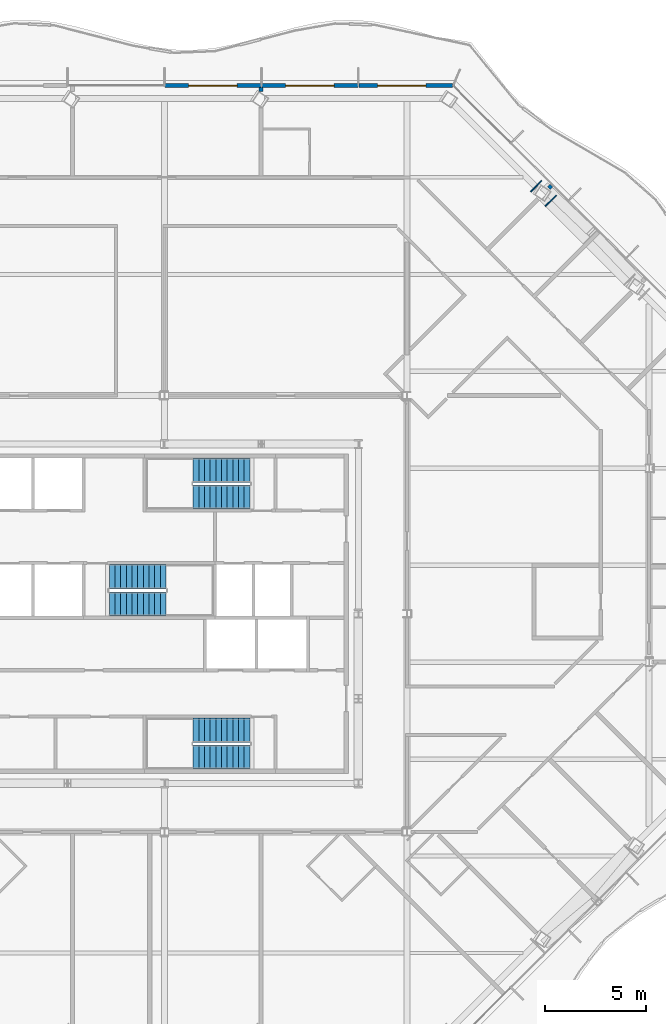
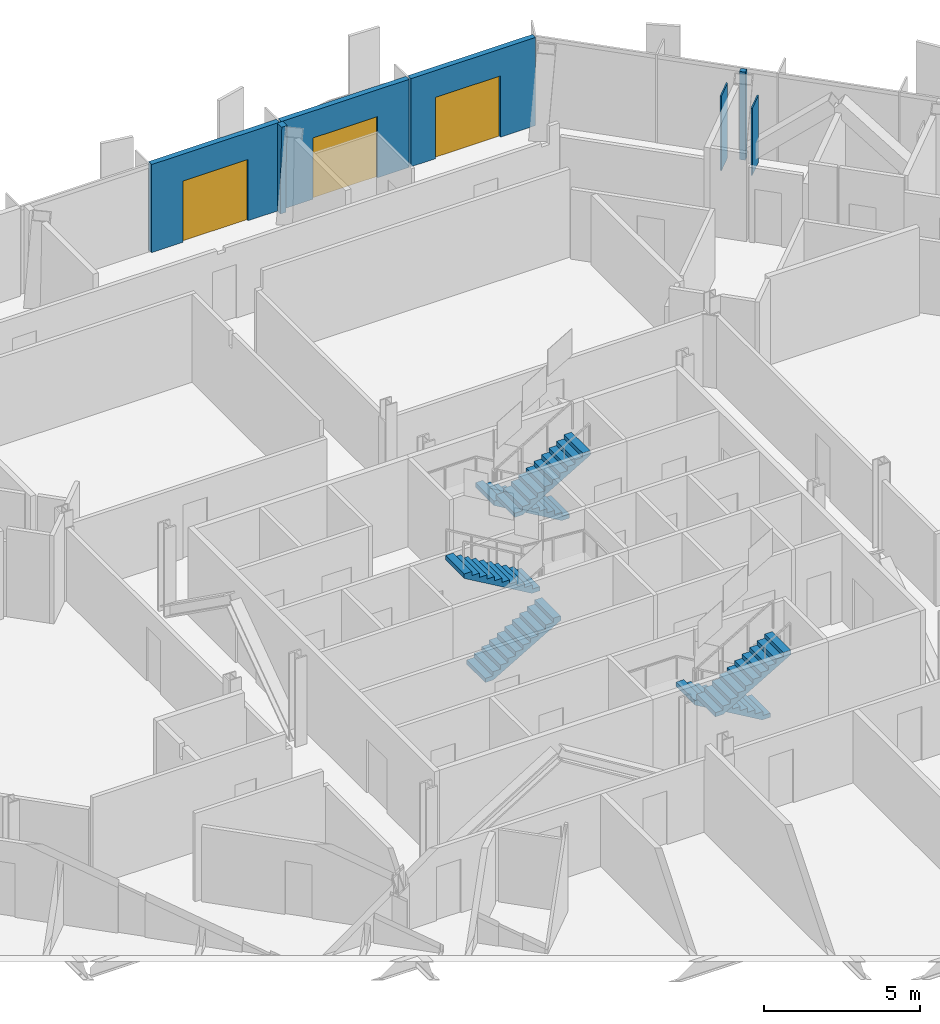
# One storey, part 14 of 21: 7 walls, 6 stair flights, 3 doors, 3 openings, 3 elements without a shape of their own.
"""IFC4 building model written with IfcOpenShell, lengths in metres."""

from ifc_helpers import new_model, si_unit, direction, frame, frame_2d, origin, place, context, subcontext, project, spatial, polyline, rectangle, outline, extrude, material, layer, layer_set, type_object, element, fill, aggregate, save


model = new_model("IFC4")

# Units and contexts
model_context = context("Model", 3, precision=1e-05, world=origin(), true_north=direction((0.0, 1.0)))
body_context = subcontext(model_context, "Body", "Model", "MODEL_VIEW")
ifc_project = project(units=[si_unit("LENGTHUNIT", "METRE"), si_unit("AREAUNIT", "SQUARE_METRE"), si_unit("VOLUMEUNIT", "CUBIC_METRE"), si_unit("PLANEANGLEUNIT", "RADIAN"), si_unit("MASSUNIT", "GRAM", prefix="KILO")], contexts=[model_context])

# Site, building, storey
site_placement = place(None, origin())
site = spatial("IfcSite", under=ifc_project, at=site_placement, CompositionType="ELEMENT")
building_placement = place(site_placement, origin())
building = spatial("IfcBuilding", under=site, at=building_placement, Name="Cairn Pilgrim Tower", CompositionType="ELEMENT")
storey_placement = place(building_placement, frame((0.0, 0.0, 172.199951171875)))
storey = spatial("IfcBuildingStorey", under=building, at=storey_placement, Name="L43", CompositionType="ELEMENT", Elevation=172.199951171875)

# Wall, opening, door
ifc_material_1 = material(Name="Bronze anodised aluminium insulated sandwich panel with mineral wool fill", Category="aluminium")
ifc_layer_1 = layer(ifc_material_1, 0.199951171875)
ifc_layer_set_1 = layer_set([ifc_layer_1], Name="BRONZE INFILL FRAME WALL 200")
wall_type_1 = type_object("IfcWallType", Name="BRONZE INFILL FRAME WALL 200", PredefinedType="NOTDEFINED", material=ifc_layer_set_1)
wall_1_placement = place(storey_placement, frame((21.45654296875, 28.550048828125, 0.0), z_axis=(0.0, 0.0, 1.0), x_axis=(-1.0, 0.0, 0.0)))
wall_1 = element("IfcWall", 1, at=wall_1_placement, inside=storey, type_object=wall_type_1, Name="Bronze infill frame wall IW-N1", PredefinedType="NOTDEFINED", context=body_context, shape_type="SweptSolid", body=[
    extrude(rectangle(XDim=4.62646484375, YDim=0.199951171875, at=frame_2d((2.313232421875, 0.0))), origin(), (0.0, 0.0, 1.0), 3.449951171875),
])
opening_1_placement = place(wall_1_placement, frame((1.308349609375, 0.0, 0.0)))
opening_1 = element("IfcOpeningElement", 2, at=opening_1_placement, cuts=wall_1, Name="Opening 4313B2", PredefinedType="OPENING", context=body_context, shape_type="SweptSolid", body=[
    extrude(rectangle(XDim=2.39990234375, YDim=2.39990234375, at=frame_2d((1.199951171875, 1.199951171875))), frame((0.0, 0.10986328125, 0.0), z_axis=(0.0, -1.0, 0.0), x_axis=(1.0, 0.0, 0.0)), (0.0, 0.0, 1.0), 0.219970703125),
])
ifc_material_2 = material(Name="Bronze anodised aluminium frame with tinted low-E glass", Category="aluminium")
door_type = type_object("IfcDoorType", Name="BALCONY SLIDING DOOR 2400x2400", OperationType="DOUBLE_DOOR_SLIDING", PredefinedType="DOOR", material=ifc_material_2)
door_1_placement = place(opening_1_placement, origin())
door_1 = element("IfcDoor", 3, at=door_1_placement, inside=storey, type_object=door_type, Name="Balcony sliding door 4313B2", OperationType="SINGLE_SWING_LEFT", OverallHeight=2.39990234375, OverallWidth=2.39990234375, PredefinedType="DOOR", context=body_context, shape_type="SweptSolid", body=[
    extrude(rectangle(XDim=2.39990234375, YDim=2.39990234375, at=frame_2d((1.199951171875, 1.199951171875))), frame((0.0, 0.02490234375, 0.0), z_axis=(0.0, -1.0, 0.0), x_axis=(1.0, 0.0, 0.0)), (0.0, 0.0, 1.0), 0.050048828125),
])
fill(opening_1, door_1)

wall_2_placement = place(storey_placement, frame((16.77001953125, 28.550048828125, 0.0), z_axis=(0.0, 0.0, 1.0), x_axis=(-1.0, 0.0, 0.0)))
wall_2 = element("IfcWall", 4, at=wall_2_placement, inside=storey, type_object=wall_type_1, Name="Bronze infill frame wall IW-N2", PredefinedType="NOTDEFINED", context=body_context, shape_type="SweptSolid", body=[
    extrude(rectangle(XDim=4.739990234375, YDim=0.199951171875, at=frame_2d((2.3701171875, 0.0))), origin(), (0.0, 0.0, 1.0), 3.449951171875),
])
opening_2_placement = place(wall_2_placement, frame((1.169921875, 0.0, 0.0)))
opening_2 = element("IfcOpeningElement", 5, at=opening_2_placement, cuts=wall_2, Name="Opening 4313B", PredefinedType="OPENING", context=body_context, shape_type="SweptSolid", body=[
    extrude(rectangle(XDim=2.39990234375, YDim=2.39990234375, at=frame_2d((1.199951171875, 1.199951171875))), frame((0.0, 0.10986328125, 0.0), z_axis=(0.0, -1.0, 0.0), x_axis=(1.0, 0.0, 0.0)), (0.0, 0.0, 1.0), 0.219970703125),
])
door_2_placement = place(opening_2_placement, origin())
door_2 = element("IfcDoor", 6, at=door_2_placement, inside=storey, type_object=door_type, Name="Balcony sliding door 4313B", OperationType="SINGLE_SWING_LEFT", OverallHeight=2.39990234375, OverallWidth=2.39990234375, PredefinedType="DOOR", context=body_context, shape_type="SweptSolid", body=[
    extrude(rectangle(XDim=2.39990234375, YDim=2.39990234375, at=frame_2d((1.199951171875, 1.199951171875))), frame((0.0, 0.02490234375, 0.0), z_axis=(0.0, -1.0, 0.0), x_axis=(1.0, 0.0, 0.0)), (0.0, 0.0, 1.0), 0.050048828125),
])
fill(opening_2, door_2)

wall_3_placement = place(storey_placement, frame((11.969970703125, 28.550048828125, 0.0), z_axis=(0.0, 0.0, 1.0), x_axis=(-1.0, 0.0, 0.0)))
wall_3 = element("IfcWall", 7, at=wall_3_placement, inside=storey, type_object=wall_type_1, Name="Bronze infill frame wall IW-N3", PredefinedType="NOTDEFINED", context=body_context, shape_type="SweptSolid", body=[
    extrude(rectangle(XDim=4.739990234375, YDim=0.199951171875, at=frame_2d((2.3701171875, 0.0))), origin(), (0.0, 0.0, 1.0), 3.449951171875),
])
opening_3_placement = place(wall_3_placement, frame((1.169921875, 0.0, 0.0)))
opening_3 = element("IfcOpeningElement", 8, at=opening_3_placement, cuts=wall_3, Name="Opening 4314B", PredefinedType="OPENING", context=body_context, shape_type="SweptSolid", body=[
    extrude(rectangle(XDim=2.39990234375, YDim=2.39990234375, at=frame_2d((1.199951171875, 1.199951171875))), frame((0.0, 0.10986328125, 0.0), z_axis=(0.0, -1.0, 0.0), x_axis=(1.0, 0.0, 0.0)), (0.0, 0.0, 1.0), 0.219970703125),
])
door_3_placement = place(opening_3_placement, origin())
door_3 = element("IfcDoor", 9, at=door_3_placement, inside=storey, type_object=door_type, Name="Balcony sliding door 4314B", OperationType="SINGLE_SWING_LEFT", OverallHeight=2.39990234375, OverallWidth=2.39990234375, PredefinedType="DOOR", context=body_context, shape_type="SweptSolid", body=[
    extrude(rectangle(XDim=2.39990234375, YDim=2.39990234375, at=frame_2d((1.199951171875, 1.199951171875))), frame((0.0, 0.02490234375, 0.0), z_axis=(0.0, -1.0, 0.0), x_axis=(1.0, 0.0, 0.0)), (0.0, 0.0, 1.0), 0.050048828125),
])
fill(opening_3, door_3)

# Walls
ifc_material_3 = material(Name="Gypsum partition")
ifc_layer_2 = layer(ifc_material_3, 0.050048828125)
ifc_layer_set_2 = layer_set([ifc_layer_2], Name="PARTITION 50 DRYWALL EI 60")
wall_type_2 = type_object("IfcWallType", Name="PARTITION 50 DRYWALL EI 60", PredefinedType="PARTITIONING", material=ifc_layer_set_2)
wall_4_placement = place(storey_placement, frame((25.333984375, 23.293701171875, 0.0), z_axis=(0.0, 0.0, 1.0), x_axis=(0.706946020301, 0.707267505531, 0.0)))
element("IfcWall", 10, at=wall_4_placement, inside=storey, type_object=wall_type_2, Name="COLUMN CASING WC30", PredefinedType="PARTITIONING", context=body_context, shape_type="SweptSolid", body=[
    extrude(rectangle(XDim=0.759521484375, YDim=0.050048828125, at=frame_2d((0.3798828125, 0.0))), origin(), (0.0, 0.0, 1.0), 2.929931640625),
])
wall_5_placement = place(storey_placement, frame((26.05712890625, 22.570556640625, 0.0), z_axis=(0.0, 0.0, 1.0), x_axis=(0.706946020301, 0.707267505531, 0.0)))
element("IfcWall", 11, at=wall_5_placement, inside=storey, type_object=wall_type_2, Name="COLUMN CASING WC31", PredefinedType="PARTITIONING", context=body_context, shape_type="SweptSolid", body=[
    extrude(rectangle(XDim=0.759521484375, YDim=0.050048828125, at=frame_2d((0.3798828125, 0.0))), origin(), (0.0, 0.0, 1.0), 2.630126953125),
])
ifc_layer_3 = layer(ifc_material_3, 0.199951171875)
ifc_layer_set_3 = layer_set([ifc_layer_3], Name="SHAFT WALL 200 GYPSUM EI 60")
wall_type_3 = type_object("IfcWallType", Name="SHAFT WALL 200 GYPSUM EI 60", PredefinedType="PARTITIONING", material=ifc_layer_set_3)
wall_6_placement = place(storey_placement, frame((26.23291015625, 23.46875, 0.0), z_axis=(0.0, 0.0, 1.0), x_axis=(0.706442519737, 0.70777041921, 0.0)))
element("IfcWall", 12, at=wall_6_placement, inside=storey, type_object=wall_type_3, Name="PARTITION W126", PredefinedType="PARTITIONING", context=body_context, shape_type="SweptSolid", body=[
    extrude(rectangle(XDim=0.183837890625, YDim=0.199951171875, at=frame_2d((0.091796875, 0.0))), origin(), (0.0, 0.0, 1.0), 3.449951171875),
])
wall_7_placement = place(storey_placement, frame((11.988037109375, 28.16650390625, 0.0), z_axis=(0.0, 0.0, 1.0), x_axis=(0.0, 1.0, 0.0)))
element("IfcWall", 13, at=wall_7_placement, inside=storey, type_object=wall_type_3, Name="PARTITION W136", PredefinedType="PARTITIONING", context=body_context, shape_type="SweptSolid", body=[
    extrude(outline(polyline([(0.0859375, 0.0), (0.283447265625, 0.0), (0.283447265625, 0.862548828125), (0.283447265625, 1.72509765625), (0.283447265625, 2.587646484375), (0.283447265625, 3.449951171875), (0.0, 3.449951171875), (0.035888671875, 2.587646484375), (0.072021484375, 1.72509765625), (0.0859375, 0.862548828125), (0.0859375, 0.0)])), frame((0.0, 0.10009765625, 0.0), z_axis=(0.0, -1.0, 0.0), x_axis=(1.0, 0.0, 0.0)), (0.0, 0.0, 1.0), 0.199951171875),
])

# Stair, stair flights
ifc_material_4 = material(Name="Concrete C32/40", Category="concrete")
stair_type = type_object("IfcStairType", Name="EXIT STAIR 1200", PredefinedType="HALF_TURN_STAIR", material=ifc_material_4)
stair_1_placement = place(storey_placement, origin())
stair_1 = element("IfcStair", 14, at=stair_1_placement, inside=storey, type_object=stair_type, Name="L43 Exit Stair A", PredefinedType="HALF_TURN_STAIR")
stair_flight_type = type_object("IfcStairFlightType", Name="STAIR FLIGHT 1200", PredefinedType="STRAIGHT", material=ifc_material_4)
stair_flight_1_placement = place(storey_placement, frame((11.425048828125, -3.375, 0.0), z_axis=(0.0, 0.0, 1.0), x_axis=(-1.0, 0.0, 0.0)))
stair_flight_1 = element("IfcStairFlight", 15, at=stair_flight_1_placement, type_object=stair_flight_type, Name="ST-A flight 1", NumberOfRisers=11, NumberOfTreads=10, PredefinedType="STRAIGHT", RiserHeight=0.163636364, TreadLength=0.28, context=body_context, shape_type="SweptSolid", body=[
    extrude(outline(polyline([(0.0, 0.0), (0.0, 0.16357421875), (0.280029296875, 0.16357421875), (0.280029296875, 0.327392578125), (0.56005859375, 0.327392578125), (0.56005859375, 0.490966796875), (0.840087890625, 0.490966796875), (0.840087890625, 0.654541015625), (1.1201171875, 0.654541015625), (1.1201171875, 0.818115234375), (1.39990234375, 0.818115234375), (1.39990234375, 0.98193359375), (1.679931640625, 0.98193359375), (1.679931640625, 1.1455078125), (1.9599609375, 1.1455078125), (1.9599609375, 1.30908203125), (2.239990234375, 1.30908203125), (2.239990234375, 1.47265625), (2.52001953125, 1.47265625), (2.52001953125, 1.636474609375), (2.800048828125, 1.636474609375), (2.800048828125, 1.800048828125), (2.800048828125, 1.462646484375), (0.297119140625, 0.0), (0.0, 0.0)])), frame((0.0, 0.60009765625, 0.0), z_axis=(0.0, -1.0, 0.0), x_axis=(1.0, 0.0, 0.0)), (0.0, 0.0, 1.0), 1.199951171875),
])
stair_flight_2_placement = place(storey_placement, frame((8.625, -4.699951171875, 1.800048828125), z_axis=(0.0, 0.0, 1.0), x_axis=(1.0, 0.0, 0.0)))
stair_flight_2 = element("IfcStairFlight", 16, at=stair_flight_2_placement, type_object=stair_flight_type, Name="ST-A flight 2", NumberOfRisers=11, NumberOfTreads=10, PredefinedType="STRAIGHT", RiserHeight=0.163636364, TreadLength=0.28, context=body_context, shape_type="SweptSolid", body=[
    extrude(outline(polyline([(0.0, 0.0), (0.0, 0.16357421875), (0.280029296875, 0.16357421875), (0.280029296875, 0.327392578125), (0.56005859375, 0.327392578125), (0.56005859375, 0.490966796875), (0.840087890625, 0.490966796875), (0.840087890625, 0.654541015625), (1.1201171875, 0.654541015625), (1.1201171875, 0.818115234375), (1.39990234375, 0.818115234375), (1.39990234375, 0.98193359375), (1.679931640625, 0.98193359375), (1.679931640625, 1.1455078125), (1.9599609375, 1.1455078125), (1.9599609375, 1.30908203125), (2.239990234375, 1.30908203125), (2.239990234375, 1.47265625), (2.52001953125, 1.47265625), (2.52001953125, 1.636474609375), (2.800048828125, 1.636474609375), (2.800048828125, 1.800048828125), (2.800048828125, 1.462646484375), (0.297119140625, 0.0), (0.0, 0.0)])), frame((0.0, 0.60009765625, 0.0), z_axis=(0.0, -1.0, 0.0), x_axis=(1.0, 0.0, 0.0)), (0.0, 0.0, 1.0), 1.199951171875),
])
aggregate(stair_1, [stair_flight_1, stair_flight_2])

stair_2_placement = place(storey_placement, origin())
stair_2 = element("IfcStair", 17, at=stair_2_placement, inside=storey, type_object=stair_type, Name="L43 Exit Stair B", PredefinedType="HALF_TURN_STAIR")
stair_flight_3_placement = place(storey_placement, frame((4.47509765625, 2.875, 0.0), z_axis=(0.0, 0.0, 1.0), x_axis=(1.0, 0.0, 0.0)))
stair_flight_3 = element("IfcStairFlight", 18, at=stair_flight_3_placement, type_object=stair_flight_type, Name="ST-B flight 1", NumberOfRisers=11, NumberOfTreads=10, PredefinedType="STRAIGHT", RiserHeight=0.163636364, TreadLength=0.28, context=body_context, shape_type="SweptSolid", body=[
    extrude(outline(polyline([(0.0, 0.0), (0.0, 0.16357421875), (0.280029296875, 0.16357421875), (0.280029296875, 0.327392578125), (0.56005859375, 0.327392578125), (0.56005859375, 0.490966796875), (0.840087890625, 0.490966796875), (0.840087890625, 0.654541015625), (1.1201171875, 0.654541015625), (1.1201171875, 0.818115234375), (1.39990234375, 0.818115234375), (1.39990234375, 0.98193359375), (1.679931640625, 0.98193359375), (1.679931640625, 1.1455078125), (1.9599609375, 1.1455078125), (1.9599609375, 1.30908203125), (2.239990234375, 1.30908203125), (2.239990234375, 1.47265625), (2.52001953125, 1.47265625), (2.52001953125, 1.636474609375), (2.800048828125, 1.636474609375), (2.800048828125, 1.800048828125), (2.800048828125, 1.462646484375), (0.297119140625, 0.0), (0.0, 0.0)])), frame((0.0, 0.60009765625, 0.0), z_axis=(0.0, -1.0, 0.0), x_axis=(1.0, 0.0, 0.0)), (0.0, 0.0, 1.0), 1.199951171875),
])
stair_flight_4_placement = place(storey_placement, frame((7.27490234375, 4.22509765625, 1.800048828125), z_axis=(0.0, 0.0, 1.0), x_axis=(-1.0, 0.0, 0.0)))
stair_flight_4 = element("IfcStairFlight", 19, at=stair_flight_4_placement, type_object=stair_flight_type, Name="ST-B flight 2", NumberOfRisers=11, NumberOfTreads=10, PredefinedType="STRAIGHT", RiserHeight=0.163636364, TreadLength=0.28, context=body_context, shape_type="SweptSolid", body=[
    extrude(outline(polyline([(0.0, 0.0), (0.0, 0.16357421875), (0.280029296875, 0.16357421875), (0.280029296875, 0.327392578125), (0.56005859375, 0.327392578125), (0.56005859375, 0.490966796875), (0.840087890625, 0.490966796875), (0.840087890625, 0.654541015625), (1.1201171875, 0.654541015625), (1.1201171875, 0.818115234375), (1.39990234375, 0.818115234375), (1.39990234375, 0.98193359375), (1.679931640625, 0.98193359375), (1.679931640625, 1.1455078125), (1.9599609375, 1.1455078125), (1.9599609375, 1.30908203125), (2.239990234375, 1.30908203125), (2.239990234375, 1.47265625), (2.52001953125, 1.47265625), (2.52001953125, 1.636474609375), (2.800048828125, 1.636474609375), (2.800048828125, 1.800048828125), (2.800048828125, 1.462646484375), (0.297119140625, 0.0), (0.0, 0.0)])), frame((0.0, 0.60009765625, 0.0), z_axis=(0.0, -1.0, 0.0), x_axis=(1.0, 0.0, 0.0)), (0.0, 0.0, 1.0), 1.199951171875),
])
aggregate(stair_2, [stair_flight_3, stair_flight_4])

stair_3_placement = place(storey_placement, origin())
stair_3 = element("IfcStair", 20, at=stair_3_placement, inside=storey, type_object=stair_type, Name="L43 Exit Stair C", PredefinedType="HALF_TURN_STAIR")
stair_flight_5_placement = place(storey_placement, frame((11.425048828125, 9.5, 0.0), z_axis=(0.0, 0.0, 1.0), x_axis=(-1.0, 0.0, 0.0)))
stair_flight_5 = element("IfcStairFlight", 21, at=stair_flight_5_placement, type_object=stair_flight_type, Name="ST-C flight 1", NumberOfRisers=11, NumberOfTreads=10, PredefinedType="STRAIGHT", RiserHeight=0.163636364, TreadLength=0.28, context=body_context, shape_type="SweptSolid", body=[
    extrude(outline(polyline([(0.0, 0.0), (0.0, 0.16357421875), (0.280029296875, 0.16357421875), (0.280029296875, 0.327392578125), (0.56005859375, 0.327392578125), (0.56005859375, 0.490966796875), (0.840087890625, 0.490966796875), (0.840087890625, 0.654541015625), (1.1201171875, 0.654541015625), (1.1201171875, 0.818115234375), (1.39990234375, 0.818115234375), (1.39990234375, 0.98193359375), (1.679931640625, 0.98193359375), (1.679931640625, 1.1455078125), (1.9599609375, 1.1455078125), (1.9599609375, 1.30908203125), (2.239990234375, 1.30908203125), (2.239990234375, 1.47265625), (2.52001953125, 1.47265625), (2.52001953125, 1.636474609375), (2.800048828125, 1.636474609375), (2.800048828125, 1.800048828125), (2.800048828125, 1.462646484375), (0.297119140625, 0.0), (0.0, 0.0)])), frame((0.0, 0.60009765625, 0.0), z_axis=(0.0, -1.0, 0.0), x_axis=(1.0, 0.0, 0.0)), (0.0, 0.0, 1.0), 1.199951171875),
])
stair_flight_6_placement = place(storey_placement, frame((8.625, 8.175048828125, 1.800048828125), z_axis=(0.0, 0.0, 1.0), x_axis=(1.0, 0.0, 0.0)))
stair_flight_6 = element("IfcStairFlight", 22, at=stair_flight_6_placement, type_object=stair_flight_type, Name="ST-C flight 2", NumberOfRisers=11, NumberOfTreads=10, PredefinedType="STRAIGHT", RiserHeight=0.163636364, TreadLength=0.28, context=body_context, shape_type="SweptSolid", body=[
    extrude(outline(polyline([(0.0, 0.0), (0.0, 0.16357421875), (0.280029296875, 0.16357421875), (0.280029296875, 0.327392578125), (0.56005859375, 0.327392578125), (0.56005859375, 0.490966796875), (0.840087890625, 0.490966796875), (0.840087890625, 0.654541015625), (1.1201171875, 0.654541015625), (1.1201171875, 0.818115234375), (1.39990234375, 0.818115234375), (1.39990234375, 0.98193359375), (1.679931640625, 0.98193359375), (1.679931640625, 1.1455078125), (1.9599609375, 1.1455078125), (1.9599609375, 1.30908203125), (2.239990234375, 1.30908203125), (2.239990234375, 1.47265625), (2.52001953125, 1.47265625), (2.52001953125, 1.636474609375), (2.800048828125, 1.636474609375), (2.800048828125, 1.800048828125), (2.800048828125, 1.462646484375), (0.297119140625, 0.0), (0.0, 0.0)])), frame((0.0, 0.60009765625, 0.0), z_axis=(0.0, -1.0, 0.0), x_axis=(1.0, 0.0, 0.0)), (0.0, 0.0, 1.0), 1.199951171875),
])
aggregate(stair_3, [stair_flight_5, stair_flight_6])

save(model, "model.ifc")
